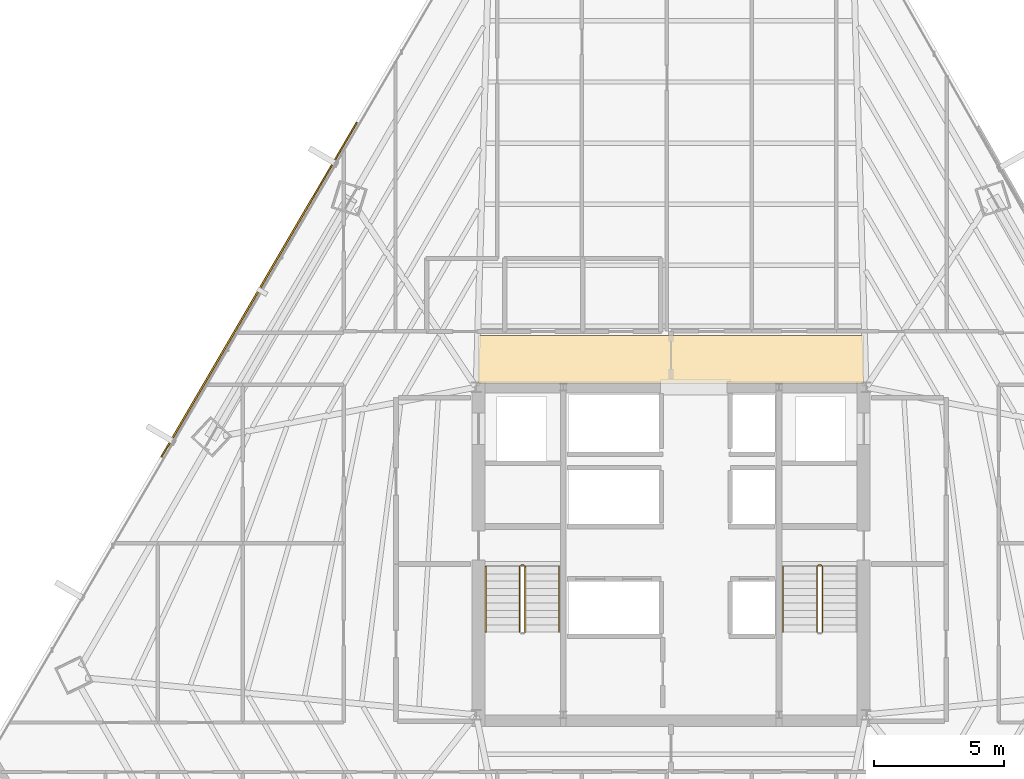
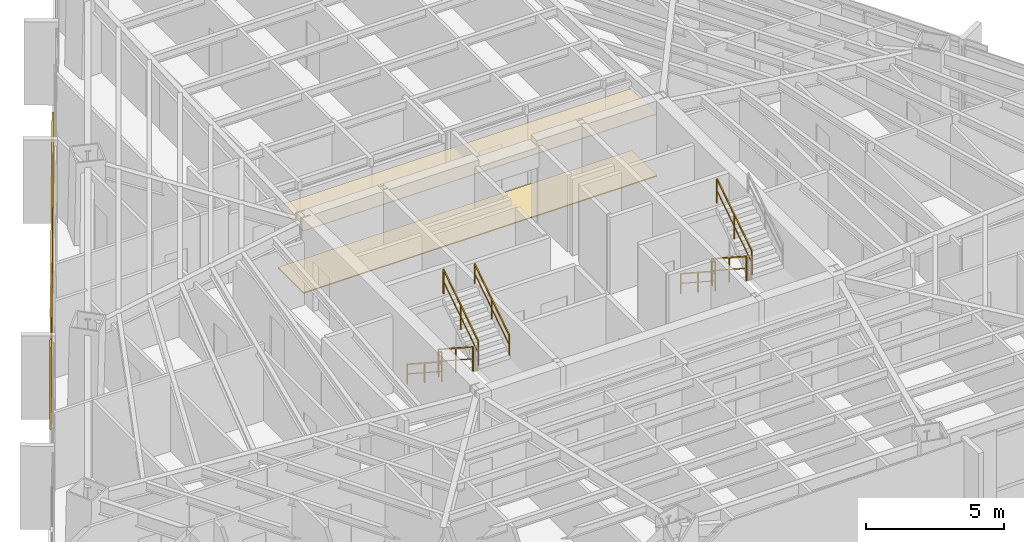
# One storey, part 36 of 37: 9 railings, 2 coverings, 1 shading device.
"""IFC4 building model written with IfcOpenShell, lengths in metres."""

from ifc_helpers import new_model, si_unit, direction, frame, origin, origin_2d, place, context, subcontext, project, spatial, polyline, rectangle, outline, extrude, source, transform, mapped, material, layer, layer_set, type_object, type_shapes, element, save


model = new_model("IFC4")

# Units and contexts
model_context = context("Model", 3, precision=1e-05, world=origin(), true_north=direction((0.0, 1.0)))
body_context = subcontext(model_context, "Body", "Model", "MODEL_VIEW")
ifc_project = project(units=[si_unit("LENGTHUNIT", "METRE"), si_unit("AREAUNIT", "SQUARE_METRE"), si_unit("VOLUMEUNIT", "CUBIC_METRE"), si_unit("PLANEANGLEUNIT", "RADIAN"), si_unit("MASSUNIT", "GRAM", prefix="KILO")], contexts=[model_context])

# Site, building, storey
site_placement = place(None, origin())
site = spatial("IfcSite", under=ifc_project, at=site_placement, CompositionType="ELEMENT")
building_placement = place(site_placement, origin())
building = spatial("IfcBuilding", under=site, at=building_placement, Name="Caelisora Broadcast Tower", CompositionType="ELEMENT")
storey_placement = place(building_placement, frame((0.0, 0.0, 120.0)))
storey = spatial("IfcBuildingStorey", under=building, at=storey_placement, Name="L31", CompositionType="ELEMENT", Elevation=120.0)

# Coverings
ifc_material_1 = material(Name="Perforated Mineral-Fibre Acoustic Ceiling Tile", Category="gypsum")
ifc_layer_1 = layer(ifc_material_1, 0.034912109375, Name="Perforated Mineral-Fibre Acoustic Ceiling Tile")
ifc_layer_set_1 = layer_set([ifc_layer_1], Name="Perforated Mineral-Fibre Acoustic Ceiling Tile")
covering_type_1 = type_object("IfcCoveringType", Name="CE-1", PredefinedType="CEILING", material=ifc_layer_set_1)
covering_1_placement = place(storey_placement, frame((0.0, 0.0, 2.75)))
element("IfcCovering", 1, at=covering_1_placement, inside=storey, type_object=covering_type_1, Name="L31 acoustic corridor ceiling CE-1 (N)", PredefinedType="CEILING", context=body_context, shape_type="SweptSolid", body=[
    extrude(outline(polyline([(30.60009765625, 30.14990234375), (45.39990234375, 30.14990234375), (45.39990234375, 32.0), (30.60009765625, 32.0), (30.60009765625, 30.14990234375)])), origin(), (0.0, 0.0, 1.0), 0.034912109375),
])
ifc_material_2 = material(Name="Anti-Static Broadcast Raised Access Floor Panel", Category="steel")
ifc_layer_2 = layer(ifc_material_2, 0.044921875, Name="Anti-Static Broadcast Raised Access Floor Panel")
ifc_layer_set_2 = layer_set([ifc_layer_2], Name="Anti-Static Broadcast Raised Access Floor Panel")
covering_type_2 = type_object("IfcCoveringType", Name="FL-1", PredefinedType="FLOORING", material=ifc_layer_set_2)
covering_2_placement = place(storey_placement, origin())
element("IfcCovering", 2, at=covering_2_placement, inside=storey, type_object=covering_type_2, Name="L31 broadcast raised access floor FL-1 (N)", PredefinedType="FLOORING", context=body_context, shape_type="SweptSolid", body=[
    extrude(outline(polyline([(30.60009765625, 30.14990234375), (45.39990234375, 30.14990234375), (45.39990234375, 32.0), (30.60009765625, 32.0), (30.60009765625, 30.14990234375)])), origin(), (0.0, 0.0, 1.0), 0.044921875),
])

# Railings
ifc_material_3 = material(Name="Galvanised Steel Safety Guardrail", Category="steel")
ifc_layer_3 = layer(ifc_material_3, 0.048095703125, Name="Galvanised Steel Safety Guardrail")
ifc_layer_set_3 = layer_set([ifc_layer_3], Name="Galvanised Steel Safety Guardrail")
railing_type_1 = type_object("IfcRailingType", Name="GR-1", PredefinedType="GUARDRAIL", material=ifc_layer_set_3)
railing_1_placement = place(storey_placement, frame((32.169921875, 23.10009765625, 0.1826171875)))
element("IfcRailing", 3, at=railing_1_placement, inside=storey, type_object=railing_type_1, Name="L31 ST-1 stair guard 1", PredefinedType="GUARDRAIL", context=body_context, shape_type="SweptSolid", body=[
    extrude(rectangle(XDim=0.048095703125, YDim=0.048095703125, at=origin_2d()), frame((0.0, 0.0, 1.076171875), z_axis=(0.0, -0.837786554691, 0.545997883492), x_axis=(1.0, 0.0, 0.0)), (0.0, 0.0, 1.0), 3.008056640625),
    extrude(rectangle(XDim=0.03125, YDim=0.03125, at=origin_2d()), frame((0.0, 0.0, 0.550048828125), z_axis=(0.0, -0.837786554691, 0.545997883492), x_axis=(1.0, 0.0, 0.0)), (0.0, 0.0, 1.0), 3.008056640625),
    extrude(rectangle(XDim=0.0419921875, YDim=0.0419921875, at=origin_2d()), origin(), (0.0, 0.0, 1.0), 1.052001953125),
    extrude(rectangle(XDim=0.0419921875, YDim=0.0419921875, at=origin_2d()), frame((0.0, -1.260009765625, 0.8212890625)), (0.0, 0.0, 1.0), 1.052001953125),
    extrude(rectangle(XDim=0.0419921875, YDim=0.0419921875, at=origin_2d()), frame((0.0, -2.52001953125, 1.642333984375)), (0.0, 0.0, 1.0), 1.052001953125),
])
railing_2_placement = place(storey_placement, frame((32.389892578125, 20.580078125, 2.007568359375)))
element("IfcRailing", 4, at=railing_2_placement, inside=storey, type_object=railing_type_1, Name="L31 ST-1 stair guard 3", PredefinedType="GUARDRAIL", context=body_context, shape_type="SweptSolid", body=[
    extrude(rectangle(XDim=0.048095703125, YDim=0.048095703125, at=origin_2d()), frame((0.0, 0.0, 1.076171875), z_axis=(0.0, 0.837786554691, 0.545997883492), x_axis=(-1.0, 0.0, 0.0)), (0.0, 0.0, 1.0), 3.008056640625),
    extrude(rectangle(XDim=0.03125, YDim=0.03125, at=origin_2d()), frame((0.0, 0.0, 0.550048828125), z_axis=(0.0, 0.837786554691, 0.545997883492), x_axis=(-1.0, 0.0, 0.0)), (0.0, 0.0, 1.0), 3.008056640625),
    extrude(rectangle(XDim=0.0419921875, YDim=0.0419921875, at=origin_2d()), origin(), (0.0, 0.0, 1.0), 1.052001953125),
    extrude(rectangle(XDim=0.0419921875, YDim=0.0419921875, at=origin_2d()), frame((0.0, 1.260009765625, 0.8212890625)), (0.0, 0.0, 1.0), 1.052001953125),
    extrude(rectangle(XDim=0.0419921875, YDim=0.0419921875, at=origin_2d()), frame((0.0, 2.52001953125, 1.642333984375)), (0.0, 0.0, 1.0), 1.052001953125),
])
railing_3_placement = place(storey_placement, frame((32.219970703125, 23.14990234375, 0.0)))
element("IfcRailing", 5, at=railing_3_placement, inside=storey, type_object=railing_type_1, Name="L31 ST-1 stair guard 4", PredefinedType="GUARDRAIL", context=body_context, shape_type="SweptSolid", body=[
    extrude(rectangle(XDim=0.048095703125, YDim=0.048095703125, at=origin_2d()), frame((0.0, 0.0, 1.076171875), z_axis=(1.0, 0.0, 0.0), x_axis=(0.0, 1.0, 0.0)), (0.0, 0.0, 1.0), 0.1201171875),
    extrude(rectangle(XDim=0.03125, YDim=0.03125, at=origin_2d()), frame((0.0, 0.0, 0.550048828125), z_axis=(1.0, 0.0, 0.0), x_axis=(0.0, 1.0, 0.0)), (0.0, 0.0, 1.0), 0.1201171875),
    extrude(rectangle(XDim=0.0419921875, YDim=0.0419921875, at=origin_2d()), origin(), (0.0, 0.0, 1.0), 1.052001953125),
    extrude(rectangle(XDim=0.0419921875, YDim=0.0419921875, at=origin_2d()), frame((0.1201171875, 0.0, 0.0)), (0.0, 0.0, 1.0), 1.052001953125),
])
railing_4_placement = place(storey_placement, frame((43.610107421875, 23.10009765625, 0.1826171875)))
element("IfcRailing", 6, at=railing_4_placement, inside=storey, type_object=railing_type_1, Name="L31 ST-2 stair guard 1", PredefinedType="GUARDRAIL", context=body_context, shape_type="SweptSolid", body=[
    extrude(rectangle(XDim=0.048095703125, YDim=0.048095703125, at=origin_2d()), frame((0.0, 0.0, 1.076171875), z_axis=(0.0, -0.837786554691, 0.545997883492), x_axis=(1.0, 0.0, 0.0)), (0.0, 0.0, 1.0), 3.008056640625),
    extrude(rectangle(XDim=0.03125, YDim=0.03125, at=origin_2d()), frame((0.0, 0.0, 0.550048828125), z_axis=(0.0, -0.837786554691, 0.545997883492), x_axis=(1.0, 0.0, 0.0)), (0.0, 0.0, 1.0), 3.008056640625),
    extrude(rectangle(XDim=0.0419921875, YDim=0.0419921875, at=origin_2d()), origin(), (0.0, 0.0, 1.0), 1.052001953125),
    extrude(rectangle(XDim=0.0419921875, YDim=0.0419921875, at=origin_2d()), frame((0.0, -1.260009765625, 0.8212890625)), (0.0, 0.0, 1.0), 1.052001953125),
    extrude(rectangle(XDim=0.0419921875, YDim=0.0419921875, at=origin_2d()), frame((0.0, -2.52001953125, 1.642333984375)), (0.0, 0.0, 1.0), 1.052001953125),
])
railing_5_placement = place(storey_placement, frame((43.830078125, 20.580078125, 2.007568359375)))
element("IfcRailing", 7, at=railing_5_placement, inside=storey, type_object=railing_type_1, Name="L31 ST-2 stair guard 3", PredefinedType="GUARDRAIL", context=body_context, shape_type="SweptSolid", body=[
    extrude(rectangle(XDim=0.048095703125, YDim=0.048095703125, at=origin_2d()), frame((0.0, 0.0, 1.076171875), z_axis=(0.0, 0.837786554691, 0.545997883492), x_axis=(-1.0, 0.0, 0.0)), (0.0, 0.0, 1.0), 3.008056640625),
    extrude(rectangle(XDim=0.03125, YDim=0.03125, at=origin_2d()), frame((0.0, 0.0, 0.550048828125), z_axis=(0.0, 0.837786554691, 0.545997883492), x_axis=(-1.0, 0.0, 0.0)), (0.0, 0.0, 1.0), 3.008056640625),
    extrude(rectangle(XDim=0.0419921875, YDim=0.0419921875, at=origin_2d()), origin(), (0.0, 0.0, 1.0), 1.052001953125),
    extrude(rectangle(XDim=0.0419921875, YDim=0.0419921875, at=origin_2d()), frame((0.0, 1.260009765625, 0.8212890625)), (0.0, 0.0, 1.0), 1.052001953125),
    extrude(rectangle(XDim=0.0419921875, YDim=0.0419921875, at=origin_2d()), frame((0.0, 2.52001953125, 1.642333984375)), (0.0, 0.0, 1.0), 1.052001953125),
])
railing_6_placement = place(storey_placement, frame((43.659912109375, 23.14990234375, 0.0)))
element("IfcRailing", 8, at=railing_6_placement, inside=storey, type_object=railing_type_1, Name="L31 ST-2 stair guard 4", PredefinedType="GUARDRAIL", context=body_context, shape_type="SweptSolid", body=[
    extrude(rectangle(XDim=0.048095703125, YDim=0.048095703125, at=origin_2d()), frame((0.0, 0.0, 1.076171875), z_axis=(1.0, 0.0, 0.0), x_axis=(0.0, 1.0, 0.0)), (0.0, 0.0, 1.0), 0.1201171875),
    extrude(rectangle(XDim=0.03125, YDim=0.03125, at=origin_2d()), frame((0.0, 0.0, 0.550048828125), z_axis=(1.0, 0.0, 0.0), x_axis=(0.0, 1.0, 0.0)), (0.0, 0.0, 1.0), 0.1201171875),
    extrude(rectangle(XDim=0.0419921875, YDim=0.0419921875, at=origin_2d()), origin(), (0.0, 0.0, 1.0), 1.052001953125),
    extrude(rectangle(XDim=0.0419921875, YDim=0.0419921875, at=origin_2d()), frame((0.1201171875, 0.0, 0.0)), (0.0, 0.0, 1.0), 1.052001953125),
])
ifc_material_4 = material(Name="Stainless Steel Grade 316 Tubular Handrail", Category="steel")
ifc_layer_4 = layer(ifc_material_4, 0.048095703125, Name="Stainless Steel Grade 316 Tubular Handrail")
ifc_layer_set_4 = layer_set([ifc_layer_4], Name="Stainless Steel Grade 316 Tubular Handrail")
railing_type_2 = type_object("IfcRailingType", Name="HR-1", PredefinedType="HANDRAIL", material=ifc_layer_set_4)
railing_7_placement = place(storey_placement, frame((30.8701171875, 23.10009765625, 0.1826171875)))
element("IfcRailing", 9, at=railing_7_placement, inside=storey, type_object=railing_type_2, Name="L31 ST-1 stair handrail 1", PredefinedType="HANDRAIL", context=body_context, shape_type="SweptSolid", body=[
    extrude(rectangle(XDim=0.048095703125, YDim=0.048095703125, at=origin_2d()), frame((0.0, 0.0, 0.8759765625), z_axis=(0.0, -0.837786554691, 0.545997883492), x_axis=(1.0, 0.0, 0.0)), (0.0, 0.0, 1.0), 3.008056640625),
    extrude(rectangle(XDim=0.03125, YDim=0.03125, at=origin_2d()), frame((0.0, 0.0, 0.449951171875), z_axis=(0.0, -0.837786554691, 0.545997883492), x_axis=(1.0, 0.0, 0.0)), (0.0, 0.0, 1.0), 3.008056640625),
    extrude(rectangle(XDim=0.0419921875, YDim=0.0419921875, at=origin_2d()), origin(), (0.0, 0.0, 1.0), 0.851806640625),
    extrude(rectangle(XDim=0.0419921875, YDim=0.0419921875, at=origin_2d()), frame((0.0, -1.260009765625, 0.8212890625)), (0.0, 0.0, 1.0), 0.851806640625),
    extrude(rectangle(XDim=0.0419921875, YDim=0.0419921875, at=origin_2d()), frame((0.0, -2.52001953125, 1.642333984375)), (0.0, 0.0, 1.0), 0.851806640625),
])
railing_8_placement = place(storey_placement, frame((33.68994140625, 20.580078125, 2.007568359375)))
element("IfcRailing", 10, at=railing_8_placement, inside=storey, type_object=railing_type_2, Name="L31 ST-1 stair handrail 2", PredefinedType="HANDRAIL", context=body_context, shape_type="SweptSolid", body=[
    extrude(rectangle(XDim=0.048095703125, YDim=0.048095703125, at=origin_2d()), frame((0.0, 0.0, 0.8759765625), z_axis=(0.0, 0.837786554691, 0.545997883492), x_axis=(-1.0, 0.0, 0.0)), (0.0, 0.0, 1.0), 3.008056640625),
    extrude(rectangle(XDim=0.03125, YDim=0.03125, at=origin_2d()), frame((0.0, 0.0, 0.449951171875), z_axis=(0.0, 0.837786554691, 0.545997883492), x_axis=(-1.0, 0.0, 0.0)), (0.0, 0.0, 1.0), 3.008056640625),
    extrude(rectangle(XDim=0.0419921875, YDim=0.0419921875, at=origin_2d()), origin(), (0.0, 0.0, 1.0), 0.851806640625),
    extrude(rectangle(XDim=0.0419921875, YDim=0.0419921875, at=origin_2d()), frame((0.0, 1.260009765625, 0.8212890625)), (0.0, 0.0, 1.0), 0.851806640625),
    extrude(rectangle(XDim=0.0419921875, YDim=0.0419921875, at=origin_2d()), frame((0.0, 2.52001953125, 1.642333984375)), (0.0, 0.0, 1.0), 0.851806640625),
])
railing_9_placement = place(storey_placement, frame((42.31005859375, 23.10009765625, 0.1826171875)))
element("IfcRailing", 11, at=railing_9_placement, inside=storey, type_object=railing_type_2, Name="L31 ST-2 stair handrail 1", PredefinedType="HANDRAIL", context=body_context, shape_type="SweptSolid", body=[
    extrude(rectangle(XDim=0.048095703125, YDim=0.048095703125, at=origin_2d()), frame((0.0, 0.0, 0.8759765625), z_axis=(0.0, -0.837786554691, 0.545997883492), x_axis=(1.0, 0.0, 0.0)), (0.0, 0.0, 1.0), 3.008056640625),
    extrude(rectangle(XDim=0.03125, YDim=0.03125, at=origin_2d()), frame((0.0, 0.0, 0.449951171875), z_axis=(0.0, -0.837786554691, 0.545997883492), x_axis=(1.0, 0.0, 0.0)), (0.0, 0.0, 1.0), 3.008056640625),
    extrude(rectangle(XDim=0.0419921875, YDim=0.0419921875, at=origin_2d()), origin(), (0.0, 0.0, 1.0), 0.851806640625),
    extrude(rectangle(XDim=0.0419921875, YDim=0.0419921875, at=origin_2d()), frame((0.0, -1.260009765625, 0.8212890625)), (0.0, 0.0, 1.0), 0.851806640625),
    extrude(rectangle(XDim=0.0419921875, YDim=0.0419921875, at=origin_2d()), frame((0.0, -2.52001953125, 1.642333984375)), (0.0, 0.0, 1.0), 0.851806640625),
])

# Shading device
ifc_material_5 = material(Name="Perforated Glazed Terracotta Baguette Solar Screen", Category="ceramic")
ifc_layer_5 = layer(ifc_material_5, 0.06494140625, Name="Perforated Glazed Terracotta Baguette Solar Screen")
ifc_layer_set_5 = layer_set([ifc_layer_5], Name="Perforated Glazed Terracotta Baguette Solar Screen")
shading_device_type = type_object("IfcShadingDeviceType", Name="SS-1", PredefinedType="USERDEFINED", material=ifc_layer_set_5)
shared_shape = source(origin(), body_context, "Body", "SweptSolid", [
    extrude(rectangle(XDim=14.906005859375, YDim=0.06494140625, at=origin_2d()), origin(), (0.0, 0.0, 1.0), 3.590087890625),
])
type_shapes(shading_device_type, [shared_shape])
shading_device_placement = place(storey_placement, frame((22.14794921875, 33.749267578125, 0.0), z_axis=(0.0, 0.0, 1.0), x_axis=(-0.504527623815, -0.863395550607, 0.0)))
element("IfcShadingDevice", 12, at=shading_device_placement, inside=storey, type_object=shading_device_type, Name="L31 perforated terracotta solar screen #1", ObjectType="SOLAR SCREEN", PredefinedType="USERDEFINED", context=body_context, shape_type="MappedRepresentation", body=[
    mapped(shared_shape, transform((0.0, 0.0, 0.0), scale=1.0)),
])

save(model, "model.ifc")
